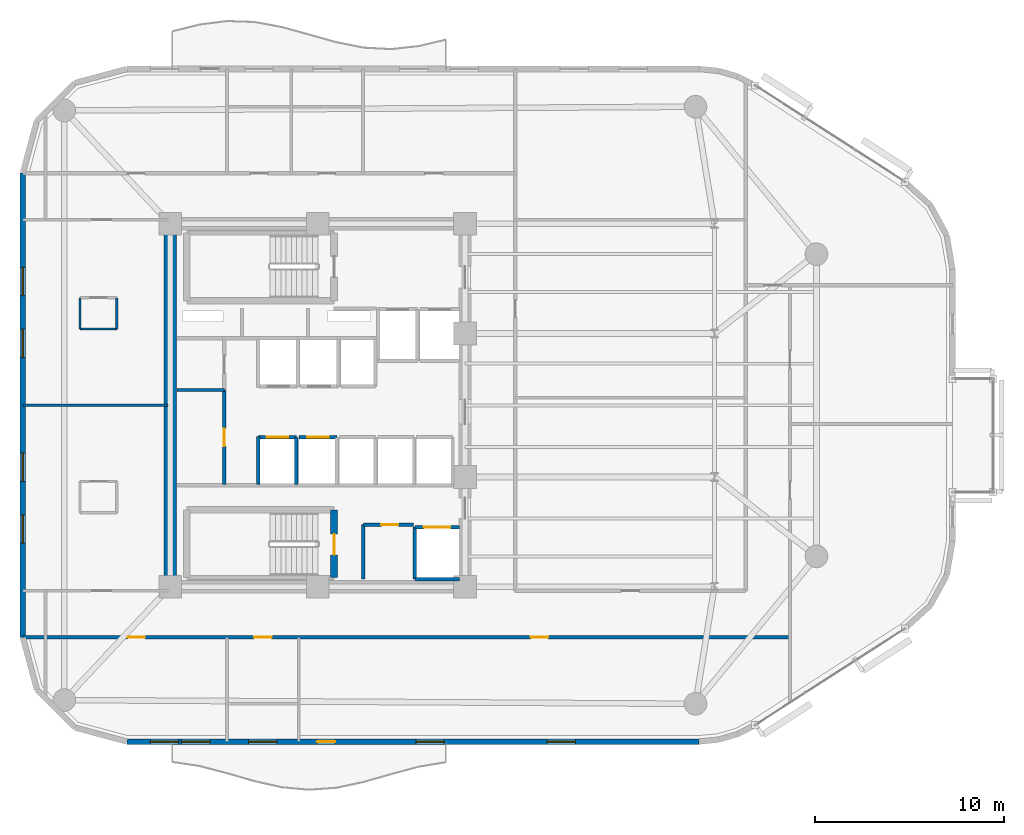
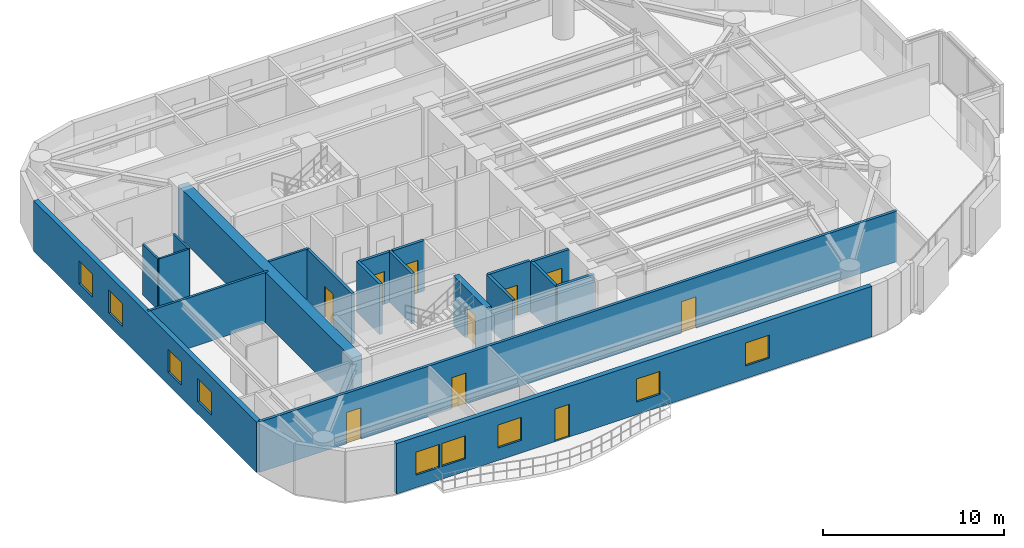
# One storey, part 11 of 16: 20 walls, 10 doors, 9 windows, 19 openings.
"""IFC4 building model written with IfcOpenShell, lengths in metres."""

from ifc_helpers import new_model, si_unit, direction, frame, frame_2d, origin, place, context, subcontext, project, spatial, rectangle, extrude, material, layer, layer_set, type_object, element, fill, save


model = new_model("IFC4")

# Units and contexts
model_context = context("Model", 3, precision=1e-05, world=origin(), true_north=direction((0.0, 1.0)))
body_context = subcontext(model_context, "Body", "Model", "MODEL_VIEW")
ifc_project = project(units=[si_unit("LENGTHUNIT", "METRE"), si_unit("AREAUNIT", "SQUARE_METRE"), si_unit("VOLUMEUNIT", "CUBIC_METRE"), si_unit("PLANEANGLEUNIT", "RADIAN"), si_unit("MASSUNIT", "GRAM", prefix="KILO")], contexts=[model_context])

# Site, building, storey
site_placement = place(None, origin())
site = spatial("IfcSite", under=ifc_project, at=site_placement, CompositionType="ELEMENT")
building_placement = place(site_placement, origin())
building = spatial("IfcBuilding", under=site, at=building_placement, Name="An Khanh Terracotta Commons", CompositionType="ELEMENT")
storey_placement = place(building_placement, frame((0.0, 0.0, 172.60009765625)))
storey = spatial("IfcBuildingStorey", under=building, at=storey_placement, Name="L45", CompositionType="ELEMENT", Elevation=172.60009765625)

# Wall
ifc_material_1 = material(Name="Concrete C60/75", Category="concrete")
ifc_layer_1 = layer(ifc_material_1, 0.64990234375, Name="Concrete C60/75")
ifc_layer_set_1 = layer_set([ifc_layer_1], Name="Concrete C60/75")
wall_type_1 = type_object("IfcWallType", Name="WALL-CORE-650", PredefinedType="SHEAR", material=ifc_layer_set_1)
wall_1_placement = place(storey_placement, frame((21.60009765625, 14.39990234375, 0.0), z_axis=(0.0, 0.0, 1.0), x_axis=(0.0, 1.0, 0.0)))
element("IfcWall", 1, at=wall_1_placement, inside=storey, type_object=wall_type_1, Name="L45 Core Wall CWALL-L45-W", PredefinedType="SHEAR", context=body_context, shape_type="SweptSolid", body=[
    extrude(rectangle(XDim=19.2001953125, YDim=0.64990234375, at=frame_2d((9.60009765625, 0.0))), origin(), (0.0, 0.0, 1.0), 3.39990234375),
])

# Wall, opening, door
ifc_material_2 = material(Name="Fire-Rated Gypsum Board on Steel Stud", Category="steel")
ifc_layer_2 = layer(ifc_material_2, 0.179931640625, Name="Fire-Rated Gypsum Board on Steel Stud")
ifc_layer_set_2 = layer_set([ifc_layer_2], Name="Fire-Rated Gypsum Board on Steel Stud")
wall_type_2 = type_object("IfcWallType", Name="WALL-CORR-180", PredefinedType="PARTITIONING", material=ifc_layer_set_2)
wall_2_placement = place(storey_placement, frame((31.820068359375, 17.679931640625, 0.0), z_axis=(0.0, 0.0, 1.0), x_axis=(1.0, 0.0, 0.0)))
wall_2 = element("IfcWall", 2, at=wall_2_placement, inside=storey, type_object=wall_type_2, Name="L45 Core Wall SSVCW-L45-N", PredefinedType="PARTITIONING", context=body_context, shape_type="SweptSolid", body=[
    extrude(rectangle(XDim=2.659912109375, YDim=0.179931640625, at=frame_2d((1.330078125, 0.0))), origin(), (0.0, 0.0, 1.0), 3.39990234375),
])
opening_1_placement = place(wall_2_placement, frame((0.949951171875, 0.0, 0.0)))
opening_1 = element("IfcOpeningElement", 3, at=opening_1_placement, cuts=wall_2, Name="Opening D-SV", PredefinedType="OPENING", context=body_context, shape_type="SweptSolid", body=[
    extrude(rectangle(XDim=0.89990234375, YDim=2.050048828125, at=frame_2d((0.449951171875, 1.02490234375))), frame((0.0, 0.099853515625, 0.0), z_axis=(0.0, -1.0, 0.0), x_axis=(1.0, 0.0, 0.0)), (0.0, 0.0, 1.0), 0.199951171875),
])
ifc_material_3 = material(Name="Fire-Rated Powder-Coated Steel Door", Category="steel")
door_type_1 = type_object("IfcDoorType", Name="DOOR-SERV-900", OperationType="NOTDEFINED", PredefinedType="DOOR", material=ifc_material_3)
door_1_placement = place(opening_1_placement, origin())
door_1 = element("IfcDoor", 4, at=door_1_placement, inside=storey, type_object=door_type_1, Name="L45 Core Housekeeping Store Door", OperationType="SINGLE_SWING_LEFT", OverallHeight=2.050048828125, OverallWidth=0.89990234375, PredefinedType="DOOR", context=body_context, shape_type="SweptSolid", body=[
    extrude(rectangle(XDim=0.89990234375, YDim=2.050048828125, at=frame_2d((0.449951171875, 1.02490234375))), frame((0.0, 0.02490234375, 0.0), z_axis=(0.0, -1.0, 0.0), x_axis=(1.0, 0.0, 0.0)), (0.0, 0.0, 1.0), 0.050048828125),
])
fill(opening_1, door_1)

# Wall
wall_3_placement = place(storey_placement, frame((31.820068359375, 14.800048828125, 0.0), z_axis=(0.0, 0.0, 1.0), x_axis=(0.0, 1.0, 0.0)))
element("IfcWall", 5, at=wall_3_placement, inside=storey, type_object=wall_type_2, Name="L45 Core Wall SSVCW-L45-W", PredefinedType="PARTITIONING", context=body_context, shape_type="SweptSolid", body=[
    extrude(rectangle(XDim=2.8798828125, YDim=0.179931640625, at=frame_2d((1.43994140625, 0.0))), origin(), (0.0, 0.0, 1.0), 3.39990234375),
])

# Wall, opening, door
wall_4_placement = place(storey_placement, frame((34.550048828125, 17.550048828125, 0.0), z_axis=(0.0, 0.0, 1.0), x_axis=(1.0, 0.0, 0.0)))
wall_4 = element("IfcWall", 6, at=wall_4_placement, inside=storey, type_object=wall_type_2, Name="L45 Core Wall LSH-L45-SVL-01-N", PredefinedType="PARTITIONING", context=body_context, shape_type="SweptSolid", body=[
    extrude(rectangle(XDim=2.349853515625, YDim=0.179931640625, at=frame_2d((1.1748046875, 0.0))), origin(), (0.0, 0.0, 1.0), 3.39990234375),
])
opening_2_placement = place(wall_4_placement, frame((0.47509765625, 0.0, 0.0)))
opening_2 = element("IfcOpeningElement", 7, at=opening_2_placement, cuts=wall_4, Name="Opening LD-SVL-01-L45", PredefinedType="OPENING", context=body_context, shape_type="SweptSolid", body=[
    extrude(rectangle(XDim=1.39990234375, YDim=2.300048828125, at=frame_2d((0.699951171875, 1.14990234375))), frame((0.0, 0.099853515625, 0.0), z_axis=(0.0, -1.0, 0.0), x_axis=(1.0, 0.0, 0.0)), (0.0, 0.0, 1.0), 0.199951171875),
])
ifc_material_4 = material(Name="Heavy-Duty Stainless Steel Goods Landing Door", Category="steel")
door_type_2 = type_object("IfcDoorType", Name="DOOR-LD-SVL-1400", OperationType="NOTDEFINED", PredefinedType="DOOR", material=ifc_material_4)
door_2_placement = place(opening_2_placement, origin())
door_2 = element("IfcDoor", 8, at=door_2_placement, inside=storey, type_object=door_type_2, Name="L45 Lift SVL-01 Sliding Landing Door", OperationType="DOUBLE_DOOR_SLIDING", OverallHeight=2.300048828125, OverallWidth=1.39990234375, PredefinedType="DOOR", context=body_context, shape_type="SweptSolid", body=[
    extrude(rectangle(XDim=1.39990234375, YDim=2.300048828125, at=frame_2d((0.699951171875, 1.14990234375))), frame((0.0, 0.02490234375, 0.0), z_axis=(0.0, -1.0, 0.0), x_axis=(1.0, 0.0, 0.0)), (0.0, 0.0, 1.0), 0.050048828125),
])
fill(opening_2, door_2)

# Walls
wall_5_placement = place(storey_placement, frame((36.89990234375, 14.800048828125, 0.0), z_axis=(0.0, 0.0, 1.0), x_axis=(-1.0, 0.0, 0.0)))
element("IfcWall", 9, at=wall_5_placement, inside=storey, type_object=wall_type_2, Name="L45 Core Wall LSH-L45-SVL-01-S", PredefinedType="PARTITIONING", context=body_context, shape_type="SweptSolid", body=[
    extrude(rectangle(XDim=2.349853515625, YDim=0.179931640625, at=frame_2d((1.1748046875, 0.0))), origin(), (0.0, 0.0, 1.0), 3.39990234375),
])
wall_6_placement = place(storey_placement, frame((34.550048828125, 17.550048828125, 0.0), z_axis=(0.0, 0.0, 1.0), x_axis=(0.0, -1.0, 0.0)))
element("IfcWall", 10, at=wall_6_placement, inside=storey, type_object=wall_type_2, Name="L45 Core Wall LSH-L45-SVL-01-W", PredefinedType="PARTITIONING", context=body_context, shape_type="SweptSolid", body=[
    extrude(rectangle(XDim=2.75, YDim=0.179931640625, at=frame_2d((1.375, 0.0))), origin(), (0.0, 0.0, 1.0), 3.39990234375),
])

# Wall, opening, door
wall_7_placement = place(storey_placement, frame((26.280029296875, 22.300048828125, 0.0), z_axis=(0.0, 0.0, 1.0), x_axis=(1.0, 0.0, 0.0)))
wall_7 = element("IfcWall", 11, at=wall_7_placement, inside=storey, type_object=wall_type_2, Name="L45 Core Wall LSH-L45-PL-M3-N", PredefinedType="PARTITIONING", context=body_context, shape_type="SweptSolid", body=[
    extrude(rectangle(XDim=2.0, YDim=0.179931640625, at=frame_2d((1.0, 0.0))), origin(), (0.0, 0.0, 1.0), 3.39990234375),
])
opening_3_placement = place(wall_7_placement, frame((0.425048828125, 0.0, 0.0)))
opening_3 = element("IfcOpeningElement", 12, at=opening_3_placement, cuts=wall_7, Name="Opening LD-PL-M3-L45", PredefinedType="OPENING", context=body_context, shape_type="SweptSolid", body=[
    extrude(rectangle(XDim=1.14990234375, YDim=2.199951171875, at=frame_2d((0.574951171875, 1.10009765625))), frame((0.0, 0.099853515625, 0.0), z_axis=(0.0, -1.0, 0.0), x_axis=(1.0, 0.0, 0.0)), (0.0, 0.0, 1.0), 0.199951171875),
])
ifc_material_5 = material(Name="Brushed Stainless Steel Passenger Landing Door", Category="steel")
door_type_3 = type_object("IfcDoorType", Name="DOOR-LD-PAX-1150", OperationType="NOTDEFINED", PredefinedType="DOOR", material=ifc_material_5)
door_3_placement = place(opening_3_placement, origin())
door_3 = element("IfcDoor", 13, at=door_3_placement, inside=storey, type_object=door_type_3, Name="L45 Lift PL-M3 Sliding Landing Door", OperationType="DOUBLE_DOOR_SLIDING", OverallHeight=2.199951171875, OverallWidth=1.14990234375, PredefinedType="DOOR", context=body_context, shape_type="SweptSolid", body=[
    extrude(rectangle(XDim=1.14990234375, YDim=2.199951171875, at=frame_2d((0.574951171875, 1.10009765625))), frame((0.0, 0.02490234375, 0.0), z_axis=(0.0, -1.0, 0.0), x_axis=(1.0, 0.0, 0.0)), (0.0, 0.0, 1.0), 0.050048828125),
])
fill(opening_3, door_3)

# Wall
wall_8_placement = place(storey_placement, frame((28.280029296875, 19.800048828125, 0.0), z_axis=(0.0, 0.0, 1.0), x_axis=(0.0, 1.0, 0.0)))
element("IfcWall", 14, at=wall_8_placement, inside=storey, type_object=wall_type_2, Name="L45 Core Wall LSH-L45-PL-M3-E", PredefinedType="PARTITIONING", context=body_context, shape_type="SweptSolid", body=[
    extrude(rectangle(XDim=2.5, YDim=0.179931640625, at=frame_2d((1.25, 0.0))), origin(), (0.0, 0.0, 1.0), 3.39990234375),
])

# Wall, opening, door
wall_9_placement = place(storey_placement, frame((28.419921875, 22.300048828125, 0.0), z_axis=(0.0, 0.0, 1.0), x_axis=(1.0, 0.0, 0.0)))
wall_9 = element("IfcWall", 15, at=wall_9_placement, inside=storey, type_object=wall_type_2, Name="L45 Core Wall LSH-L45-PL-M4-N", PredefinedType="PARTITIONING", context=body_context, shape_type="SweptSolid", body=[
    extrude(rectangle(XDim=2.0, YDim=0.179931640625, at=frame_2d((1.0, 0.0))), origin(), (0.0, 0.0, 1.0), 3.39990234375),
])
opening_4_placement = place(wall_9_placement, frame((0.425048828125, 0.0, 0.0)))
opening_4 = element("IfcOpeningElement", 16, at=opening_4_placement, cuts=wall_9, Name="Opening LD-PL-M4-L45", PredefinedType="OPENING", context=body_context, shape_type="SweptSolid", body=[
    extrude(rectangle(XDim=1.14990234375, YDim=2.199951171875, at=frame_2d((0.574951171875, 1.10009765625))), frame((0.0, 0.099853515625, 0.0), z_axis=(0.0, -1.0, 0.0), x_axis=(1.0, 0.0, 0.0)), (0.0, 0.0, 1.0), 0.199951171875),
])
door_4_placement = place(opening_4_placement, origin())
door_4 = element("IfcDoor", 17, at=door_4_placement, inside=storey, type_object=door_type_3, Name="L45 Lift PL-M4 Sliding Landing Door", OperationType="DOUBLE_DOOR_SLIDING", OverallHeight=2.199951171875, OverallWidth=1.14990234375, PredefinedType="DOOR", context=body_context, shape_type="SweptSolid", body=[
    extrude(rectangle(XDim=1.14990234375, YDim=2.199951171875, at=frame_2d((0.574951171875, 1.10009765625))), frame((0.0, 0.02490234375, 0.0), z_axis=(0.0, -1.0, 0.0), x_axis=(1.0, 0.0, 0.0)), (0.0, 0.0, 1.0), 0.050048828125),
])
fill(opening_4, door_4)

wall_10_placement = place(storey_placement, frame((24.4599609375, 19.800048828125, 0.0), z_axis=(0.0, 0.0, 1.0), x_axis=(0.0, 1.0, 0.0)))
wall_10 = element("IfcWall", 18, at=wall_10_placement, inside=storey, type_object=wall_type_2, Name="L45 Core Wall RECW-L45-E2", PredefinedType="PARTITIONING", context=body_context, shape_type="SweptSolid", body=[
    extrude(rectangle(XDim=5.0, YDim=0.179931640625, at=frame_2d((2.5, 0.0))), origin(), (0.0, 0.0, 1.0), 3.39990234375),
])
opening_5_placement = place(wall_10_placement, frame((2.0400390625, 0.0, 0.0)))
opening_5 = element("IfcOpeningElement", 19, at=opening_5_placement, cuts=wall_10, Name="Opening D-RM", PredefinedType="OPENING", context=body_context, shape_type="SweptSolid", body=[
    extrude(rectangle(XDim=0.919921875, YDim=2.10009765625, at=frame_2d((0.4599609375, 1.050048828125))), frame((0.0, 0.099853515625, 0.0), z_axis=(0.0, -1.0, 0.0), x_axis=(1.0, 0.0, 0.0)), (0.0, 0.0, 1.0), 0.199951171875),
])
ifc_material_6 = material(Name="Engineered Hardwood Timber Leaf", Category="wood")
door_type_4 = type_object("IfcDoorType", Name="DOOR-INT-920", OperationType="NOTDEFINED", PredefinedType="DOOR", material=ifc_material_6)
door_5_placement = place(opening_5_placement, origin())
door_5 = element("IfcDoor", 20, at=door_5_placement, inside=storey, type_object=door_type_4, Name="L45 Luggage Locker Room Door", OperationType="SINGLE_SWING_LEFT", OverallHeight=2.10009765625, OverallWidth=0.919921875, PredefinedType="DOOR", context=body_context, shape_type="SweptSolid", body=[
    extrude(rectangle(XDim=0.919921875, YDim=2.10009765625, at=frame_2d((0.4599609375, 1.050048828125))), frame((0.0, 0.02490234375, 0.0), z_axis=(0.0, -1.0, 0.0), x_axis=(1.0, 0.0, 0.0)), (0.0, 0.0, 1.0), 0.050048828125),
])
fill(opening_5, door_5)

# Wall
wall_11_placement = place(storey_placement, frame((26.25, 19.800048828125, 0.0), z_axis=(0.0, 0.0, 1.0), x_axis=(0.0, 1.0, 0.0)))
element("IfcWall", 21, at=wall_11_placement, inside=storey, type_object=wall_type_2, Name="L45 Core Wall RECW-L45-BE2", PredefinedType="PARTITIONING", context=body_context, shape_type="SweptSolid", body=[
    extrude(rectangle(XDim=2.550048828125, YDim=0.179931640625, at=frame_2d((1.27490234375, 0.0))), origin(), (0.0, 0.0, 1.0), 3.39990234375),
])

# Wall, openings, doors
wall_12_placement = place(storey_placement, frame((13.800048828125, 11.719970703125, 0.0), z_axis=(0.0, 0.0, 1.0), x_axis=(1.0, 0.0, 0.0)))
wall_12 = element("IfcWall", 22, at=wall_12_placement, inside=storey, type_object=wall_type_2, Name="L45 Interior Partition IW-L45-E002", PredefinedType="PARTITIONING", context=body_context, shape_type="SweptSolid", body=[
    extrude(rectangle(XDim=40.599853515625, YDim=0.179931640625, at=frame_2d((20.2998046875, 0.0))), origin(), (0.0, 0.0, 1.0), 3.39990234375),
])
opening_6_placement = place(wall_12_placement, frame((12.239990234375, 0.0, 0.0)))
opening_6 = element("IfcOpeningElement", 23, at=opening_6_placement, cuts=wall_12, Name="Opening D-RM", PredefinedType="OPENING", context=body_context, shape_type="SweptSolid", body=[
    extrude(rectangle(XDim=0.919921875, YDim=2.10009765625, at=frame_2d((0.4599609375, 1.050048828125))), frame((0.0, 0.099853515625, 0.0), z_axis=(0.0, -1.0, 0.0), x_axis=(1.0, 0.0, 0.0)), (0.0, 0.0, 1.0), 0.199951171875),
])
opening_7_placement = place(wall_12_placement, frame((5.5400390625, 0.0, 0.0)))
opening_7 = element("IfcOpeningElement", 24, at=opening_7_placement, cuts=wall_12, Name="Opening D-RM", PredefinedType="OPENING", context=body_context, shape_type="SweptSolid", body=[
    extrude(rectangle(XDim=0.919921875, YDim=2.10009765625, at=frame_2d((0.4599609375, 1.050048828125))), frame((0.0, 0.099853515625, 0.0), z_axis=(0.0, -1.0, 0.0), x_axis=(1.0, 0.0, 0.0)), (0.0, 0.0, 1.0), 0.199951171875),
])
opening_8_placement = place(wall_12_placement, frame((26.8798828125, 0.0, 0.0)))
opening_8 = element("IfcOpeningElement", 25, at=opening_8_placement, cuts=wall_12, Name="Opening D-RM", PredefinedType="OPENING", context=body_context, shape_type="SweptSolid", body=[
    extrude(rectangle(XDim=0.919921875, YDim=2.10009765625, at=frame_2d((0.4599609375, 1.050048828125))), frame((0.0, 0.099853515625, 0.0), z_axis=(0.0, -1.0, 0.0), x_axis=(1.0, 0.0, 0.0)), (0.0, 0.0, 1.0), 0.199951171875),
])
door_6_placement = place(opening_6_placement, origin())
door_6 = element("IfcDoor", 26, at=door_6_placement, inside=storey, type_object=door_type_4, Name="L45 HKP Housekeeping Linen Store Door", OperationType="SINGLE_SWING_RIGHT", OverallHeight=2.10009765625, OverallWidth=0.919921875, PredefinedType="DOOR", context=body_context, shape_type="SweptSolid", body=[
    extrude(rectangle(XDim=0.919921875, YDim=2.10009765625, at=frame_2d((0.4599609375, 1.050048828125))), frame((0.0, 0.02490234375, 0.0), z_axis=(0.0, -1.0, 0.0), x_axis=(1.0, 0.0, 0.0)), (0.0, 0.0, 1.0), 0.050048828125),
])
fill(opening_6, door_6)
door_7_placement = place(opening_7_placement, origin())
door_7 = element("IfcDoor", 27, at=door_7_placement, inside=storey, type_object=door_type_4, Name="L45 SW1 Academic Seminar Room Door", OperationType="SINGLE_SWING_RIGHT", OverallHeight=2.10009765625, OverallWidth=0.919921875, PredefinedType="DOOR", context=body_context, shape_type="SweptSolid", body=[
    extrude(rectangle(XDim=0.919921875, YDim=2.10009765625, at=frame_2d((0.4599609375, 1.050048828125))), frame((0.0, 0.02490234375, 0.0), z_axis=(0.0, -1.0, 0.0), x_axis=(1.0, 0.0, 0.0)), (0.0, 0.0, 1.0), 0.050048828125),
])
fill(opening_7, door_7)
door_8_placement = place(opening_8_placement, origin())
door_8 = element("IfcDoor", 28, at=door_8_placement, inside=storey, type_object=door_type_4, Name="L45 SWE Academic Seminar Room Door", OperationType="SINGLE_SWING_LEFT", OverallHeight=2.10009765625, OverallWidth=0.919921875, PredefinedType="DOOR", context=body_context, shape_type="SweptSolid", body=[
    extrude(rectangle(XDim=0.919921875, YDim=2.10009765625, at=frame_2d((0.4599609375, 1.050048828125))), frame((0.0, 0.02490234375, 0.0), z_axis=(0.0, -1.0, 0.0), x_axis=(1.0, 0.0, 0.0)), (0.0, 0.0, 1.0), 0.050048828125),
])
fill(opening_8, door_8)

# Wall, openings, door, windows
ifc_material_7 = material(Name="Precast concrete C40/50", Category="concrete")
ifc_layer_3 = layer(ifc_material_7, 0.300048828125, Name="Precast concrete C40/50")
ifc_layer_set_3 = layer_set([ifc_layer_3], Name="Precast concrete C40/50")
wall_type_3 = type_object("IfcWallType", Name="WALL-EXT-300", PredefinedType="SOLIDWALL", material=ifc_layer_set_3)
wall_13_placement = place(storey_placement, frame((19.300048828125, 6.199951171875, 0.0), z_axis=(0.0, 0.0, 1.0), x_axis=(1.0, 0.0, 0.0)))
wall_13 = element("IfcWall", 29, at=wall_13_placement, inside=storey, type_object=wall_type_3, Name="L45 Insulated Terracotta Exterior Wall 4", PredefinedType="SOLIDWALL", context=body_context, shape_type="SweptSolid", body=[
    extrude(rectangle(XDim=30.281982421875, YDim=0.300048828125, at=frame_2d((15.14111328125, 0.0))), origin(), (0.0, 0.0, 1.0), 3.39990234375),
])
opening_9_placement = place(wall_13_placement, frame((10.074951171875, 0.0, 0.0)))
opening_9 = element("IfcOpeningElement", 30, at=opening_9_placement, cuts=wall_13, Name="Opening D-BAL", PredefinedType="OPENING", context=body_context, shape_type="SweptSolid", body=[
    extrude(rectangle(XDim=0.949951171875, YDim=2.199951171875, at=frame_2d((0.47509765625, 1.10009765625))), frame((0.0, 0.159912109375, 0.0), z_axis=(0.0, -1.0, 0.0), x_axis=(1.0, 0.0, 0.0)), (0.0, 0.0, 1.0), 0.320068359375),
])
opening_10_placement = place(wall_13_placement, frame((1.25, 0.0, 0.85009765625)))
opening_10 = element("IfcOpeningElement", 31, at=opening_10_placement, cuts=wall_13, Name="Opening W-03", PredefinedType="OPENING", context=body_context, shape_type="SweptSolid", body=[
    extrude(rectangle(XDim=1.5, YDim=1.550048828125, at=frame_2d((0.75, 0.77490234375))), frame((0.0, 0.159912109375, 0.0), z_axis=(0.0, -1.0, 0.0), x_axis=(1.0, 0.0, 0.0)), (0.0, 0.0, 1.0), 0.320068359375),
])
opening_11_placement = place(wall_13_placement, frame((2.89990234375, 0.0, 0.85009765625)))
opening_11 = element("IfcOpeningElement", 32, at=opening_11_placement, cuts=wall_13, Name="Opening W-03", PredefinedType="OPENING", context=body_context, shape_type="SweptSolid", body=[
    extrude(rectangle(XDim=1.5, YDim=1.550048828125, at=frame_2d((0.75, 0.77490234375))), frame((0.0, 0.159912109375, 0.0), z_axis=(0.0, -1.0, 0.0), x_axis=(1.0, 0.0, 0.0)), (0.0, 0.0, 1.0), 0.320068359375),
])
opening_12_placement = place(wall_13_placement, frame((6.449951171875, 0.0, 0.85009765625)))
opening_12 = element("IfcOpeningElement", 33, at=opening_12_placement, cuts=wall_13, Name="Opening W-03", PredefinedType="OPENING", context=body_context, shape_type="SweptSolid", body=[
    extrude(rectangle(XDim=1.5, YDim=1.550048828125, at=frame_2d((0.75, 0.77490234375))), frame((0.0, 0.159912109375, 0.0), z_axis=(0.0, -1.0, 0.0), x_axis=(1.0, 0.0, 0.0)), (0.0, 0.0, 1.0), 0.320068359375),
])
opening_13_placement = place(wall_13_placement, frame((15.2939453125, 0.0, 0.85009765625)))
opening_13 = element("IfcOpeningElement", 34, at=opening_13_placement, cuts=wall_13, Name="Opening W-03", PredefinedType="OPENING", context=body_context, shape_type="SweptSolid", body=[
    extrude(rectangle(XDim=1.5, YDim=1.550048828125, at=frame_2d((0.75, 0.77490234375))), frame((0.0, 0.159912109375, 0.0), z_axis=(0.0, -1.0, 0.0), x_axis=(1.0, 0.0, 0.0)), (0.0, 0.0, 1.0), 0.320068359375),
])
opening_14_placement = place(wall_13_placement, frame((22.238037109375, 0.0, 0.85009765625)))
opening_14 = element("IfcOpeningElement", 35, at=opening_14_placement, cuts=wall_13, Name="Opening W-03", PredefinedType="OPENING", context=body_context, shape_type="SweptSolid", body=[
    extrude(rectangle(XDim=1.5, YDim=1.550048828125, at=frame_2d((0.75, 0.77490234375))), frame((0.0, 0.159912109375, 0.0), z_axis=(0.0, -1.0, 0.0), x_axis=(1.0, 0.0, 0.0)), (0.0, 0.0, 1.0), 0.320068359375),
])
ifc_material_8 = material(Name="Thermally Broken Aluminium and Low-E Glass", Category="aluminium")
door_type_5 = type_object("IfcDoorType", Name="DOOR-BALC-950", OperationType="NOTDEFINED", PredefinedType="DOOR", material=ifc_material_8)
door_9_placement = place(opening_9_placement, origin())
door_9 = element("IfcDoor", 36, at=door_9_placement, inside=storey, type_object=door_type_5, Name="L45 S Wave Balcony Glazed Door", OperationType="SINGLE_SWING_LEFT", OverallHeight=2.199951171875, OverallWidth=0.949951171875, PredefinedType="DOOR", context=body_context, shape_type="SweptSolid", body=[
    extrude(rectangle(XDim=0.949951171875, YDim=2.199951171875, at=frame_2d((0.47509765625, 1.10009765625))), frame((0.0, 0.02490234375, 0.0), z_axis=(0.0, -1.0, 0.0), x_axis=(1.0, 0.0, 0.0)), (0.0, 0.0, 1.0), 0.050048828125),
])
fill(opening_9, door_9)
window_type = type_object("IfcWindowType", Name="WIN-Z3-1500x1550", PartitioningType="DOUBLE_PANEL_VERTICAL", PredefinedType="WINDOW", material=ifc_material_8)
window_1_placement = place(opening_10_placement, origin())
window_1 = element("IfcWindow", 37, at=window_1_placement, inside=storey, type_object=window_type, Name="L45 Operable Casement Window 4.1", OverallHeight=1.550048828125, OverallWidth=1.5, PartitioningType="DOUBLE_PANEL_VERTICAL", PredefinedType="WINDOW", context=body_context, shape_type="SweptSolid", body=[
    extrude(rectangle(XDim=1.5, YDim=1.550048828125, at=frame_2d((0.75, 0.77490234375))), frame((0.0, 0.030029296875, 0.0), z_axis=(0.0, -1.0, 0.0), x_axis=(1.0, 0.0, 0.0)), (0.0, 0.0, 1.0), 0.06005859375),
])
fill(opening_10, window_1)
window_2_placement = place(opening_11_placement, origin())
window_2 = element("IfcWindow", 38, at=window_2_placement, inside=storey, type_object=window_type, Name="L45 Operable Casement Window 4.2", OverallHeight=1.550048828125, OverallWidth=1.5, PartitioningType="DOUBLE_PANEL_VERTICAL", PredefinedType="WINDOW", context=body_context, shape_type="SweptSolid", body=[
    extrude(rectangle(XDim=1.5, YDim=1.550048828125, at=frame_2d((0.75, 0.77490234375))), frame((0.0, 0.030029296875, 0.0), z_axis=(0.0, -1.0, 0.0), x_axis=(1.0, 0.0, 0.0)), (0.0, 0.0, 1.0), 0.06005859375),
])
fill(opening_11, window_2)
window_3_placement = place(opening_12_placement, origin())
window_3 = element("IfcWindow", 39, at=window_3_placement, inside=storey, type_object=window_type, Name="L45 Operable Casement Window 4.3", OverallHeight=1.550048828125, OverallWidth=1.5, PartitioningType="DOUBLE_PANEL_VERTICAL", PredefinedType="WINDOW", context=body_context, shape_type="SweptSolid", body=[
    extrude(rectangle(XDim=1.5, YDim=1.550048828125, at=frame_2d((0.75, 0.77490234375))), frame((0.0, 0.030029296875, 0.0), z_axis=(0.0, -1.0, 0.0), x_axis=(1.0, 0.0, 0.0)), (0.0, 0.0, 1.0), 0.06005859375),
])
fill(opening_12, window_3)
window_4_placement = place(opening_13_placement, origin())
window_4 = element("IfcWindow", 40, at=window_4_placement, inside=storey, type_object=window_type, Name="L45 Operable Casement Window 4.4", OverallHeight=1.550048828125, OverallWidth=1.5, PartitioningType="DOUBLE_PANEL_VERTICAL", PredefinedType="WINDOW", context=body_context, shape_type="SweptSolid", body=[
    extrude(rectangle(XDim=1.5, YDim=1.550048828125, at=frame_2d((0.75, 0.77490234375))), frame((0.0, 0.030029296875, 0.0), z_axis=(0.0, -1.0, 0.0), x_axis=(1.0, 0.0, 0.0)), (0.0, 0.0, 1.0), 0.06005859375),
])
fill(opening_13, window_4)
window_5_placement = place(opening_14_placement, origin())
window_5 = element("IfcWindow", 41, at=window_5_placement, inside=storey, type_object=window_type, Name="L45 Operable Casement Window 4.5", OverallHeight=1.550048828125, OverallWidth=1.5, PartitioningType="DOUBLE_PANEL_VERTICAL", PredefinedType="WINDOW", context=body_context, shape_type="SweptSolid", body=[
    extrude(rectangle(XDim=1.5, YDim=1.550048828125, at=frame_2d((0.75, 0.77490234375))), frame((0.0, 0.030029296875, 0.0), z_axis=(0.0, -1.0, 0.0), x_axis=(1.0, 0.0, 0.0)), (0.0, 0.0, 1.0), 0.06005859375),
])
fill(opening_14, window_5)

# Wall, openings, windows
wall_14_placement = place(storey_placement, frame((13.800048828125, 36.300048828125, 0.0), z_axis=(0.0, 0.0, 1.0), x_axis=(0.0, -1.0, 0.0)))
wall_14 = element("IfcWall", 42, at=wall_14_placement, inside=storey, type_object=wall_type_3, Name="L45 Insulated Terracotta Exterior Wall 24", PredefinedType="SOLIDWALL", context=body_context, shape_type="SweptSolid", body=[
    extrude(rectangle(XDim=24.60009765625, YDim=0.300048828125, at=frame_2d((12.300048828125, 0.0))), origin(), (0.0, 0.0, 1.0), 3.39990234375),
])
opening_15_placement = place(wall_14_placement, frame((5.0029296875, 0.0, 0.85009765625)))
opening_15 = element("IfcOpeningElement", 43, at=opening_15_placement, cuts=wall_14, Name="Opening W-03", PredefinedType="OPENING", context=body_context, shape_type="SweptSolid", body=[
    extrude(rectangle(XDim=1.5, YDim=1.550048828125, at=frame_2d((0.75, 0.77490234375))), frame((0.0, 0.159912109375, 0.0), z_axis=(0.0, -1.0, 0.0), x_axis=(1.0, 0.0, 0.0)), (0.0, 0.0, 1.0), 0.320068359375),
])
opening_16_placement = place(wall_14_placement, frame((8.277099609375, 0.0, 0.85009765625)))
opening_16 = element("IfcOpeningElement", 44, at=opening_16_placement, cuts=wall_14, Name="Opening W-03", PredefinedType="OPENING", context=body_context, shape_type="SweptSolid", body=[
    extrude(rectangle(XDim=1.5, YDim=1.550048828125, at=frame_2d((0.75, 0.77490234375))), frame((0.0, 0.159912109375, 0.0), z_axis=(0.0, -1.0, 0.0), x_axis=(1.0, 0.0, 0.0)), (0.0, 0.0, 1.0), 0.320068359375),
])
opening_17_placement = place(wall_14_placement, frame((14.822998046875, 0.0, 0.85009765625)))
opening_17 = element("IfcOpeningElement", 45, at=opening_17_placement, cuts=wall_14, Name="Opening W-03", PredefinedType="OPENING", context=body_context, shape_type="SweptSolid", body=[
    extrude(rectangle(XDim=1.5, YDim=1.550048828125, at=frame_2d((0.75, 0.77490234375))), frame((0.0, 0.159912109375, 0.0), z_axis=(0.0, -1.0, 0.0), x_axis=(1.0, 0.0, 0.0)), (0.0, 0.0, 1.0), 0.320068359375),
])
opening_18_placement = place(wall_14_placement, frame((18.096923828125, 0.0, 0.85009765625)))
opening_18 = element("IfcOpeningElement", 46, at=opening_18_placement, cuts=wall_14, Name="Opening W-03", PredefinedType="OPENING", context=body_context, shape_type="SweptSolid", body=[
    extrude(rectangle(XDim=1.5, YDim=1.550048828125, at=frame_2d((0.75, 0.77490234375))), frame((0.0, 0.159912109375, 0.0), z_axis=(0.0, -1.0, 0.0), x_axis=(1.0, 0.0, 0.0)), (0.0, 0.0, 1.0), 0.320068359375),
])
window_6_placement = place(opening_15_placement, origin())
window_6 = element("IfcWindow", 47, at=window_6_placement, inside=storey, type_object=window_type, Name="L45 Operable Casement Window 24.1", OverallHeight=1.550048828125, OverallWidth=1.5, PartitioningType="DOUBLE_PANEL_VERTICAL", PredefinedType="WINDOW", context=body_context, shape_type="SweptSolid", body=[
    extrude(rectangle(XDim=1.5, YDim=1.550048828125, at=frame_2d((0.75, 0.77490234375))), frame((0.0, 0.030029296875, 0.0), z_axis=(0.0, -1.0, 0.0), x_axis=(1.0, 0.0, 0.0)), (0.0, 0.0, 1.0), 0.06005859375),
])
fill(opening_15, window_6)
window_7_placement = place(opening_16_placement, origin())
window_7 = element("IfcWindow", 48, at=window_7_placement, inside=storey, type_object=window_type, Name="L45 Operable Casement Window 24.2", OverallHeight=1.550048828125, OverallWidth=1.5, PartitioningType="DOUBLE_PANEL_VERTICAL", PredefinedType="WINDOW", context=body_context, shape_type="SweptSolid", body=[
    extrude(rectangle(XDim=1.5, YDim=1.550048828125, at=frame_2d((0.75, 0.77490234375))), frame((0.0, 0.030029296875, 0.0), z_axis=(0.0, -1.0, 0.0), x_axis=(1.0, 0.0, 0.0)), (0.0, 0.0, 1.0), 0.06005859375),
])
fill(opening_16, window_7)
window_8_placement = place(opening_17_placement, origin())
window_8 = element("IfcWindow", 49, at=window_8_placement, inside=storey, type_object=window_type, Name="L45 Operable Casement Window 24.3", OverallHeight=1.550048828125, OverallWidth=1.5, PartitioningType="DOUBLE_PANEL_VERTICAL", PredefinedType="WINDOW", context=body_context, shape_type="SweptSolid", body=[
    extrude(rectangle(XDim=1.5, YDim=1.550048828125, at=frame_2d((0.75, 0.77490234375))), frame((0.0, 0.030029296875, 0.0), z_axis=(0.0, -1.0, 0.0), x_axis=(1.0, 0.0, 0.0)), (0.0, 0.0, 1.0), 0.06005859375),
])
fill(opening_17, window_8)
window_9_placement = place(opening_18_placement, origin())
window_9 = element("IfcWindow", 50, at=window_9_placement, inside=storey, type_object=window_type, Name="L45 Operable Casement Window 24.4", OverallHeight=1.550048828125, OverallWidth=1.5, PartitioningType="DOUBLE_PANEL_VERTICAL", PredefinedType="WINDOW", context=body_context, shape_type="SweptSolid", body=[
    extrude(rectangle(XDim=1.5, YDim=1.550048828125, at=frame_2d((0.75, 0.77490234375))), frame((0.0, 0.030029296875, 0.0), z_axis=(0.0, -1.0, 0.0), x_axis=(1.0, 0.0, 0.0)), (0.0, 0.0, 1.0), 0.06005859375),
])
fill(opening_18, window_9)

# Walls
ifc_material_9 = material(Name="Acoustic Gypsum Board Partition")
ifc_layer_4 = layer(ifc_material_9, 0.14990234375, Name="Acoustic Gypsum Board Partition")
ifc_layer_set_4 = layer_set([ifc_layer_4], Name="Acoustic Gypsum Board Partition")
wall_type_4 = type_object("IfcWallType", Name="WALL-PART-150", PredefinedType="PARTITIONING", material=ifc_layer_set_4)
wall_15_placement = place(storey_placement, frame((21.949951171875, 24.800048828125, 0.0), z_axis=(0.0, 0.0, 1.0), x_axis=(1.0, 0.0, 0.0)))
element("IfcWall", 51, at=wall_15_placement, inside=storey, type_object=wall_type_4, Name="L45 Core Wall RECW-L45-M", PredefinedType="PARTITIONING", context=body_context, shape_type="SweptSolid", body=[
    extrude(rectangle(XDim=2.510009765625, YDim=0.14990234375, at=frame_2d((1.2548828125, 0.0))), origin(), (0.0, 0.0, 1.0), 3.39990234375),
])
wall_16_placement = place(storey_placement, frame((13.800048828125, 24.0, 0.0), z_axis=(0.0, 0.0, 1.0), x_axis=(1.0, 0.0, 0.0)))
element("IfcWall", 52, at=wall_16_placement, inside=storey, type_object=wall_type_4, Name="L45 Interior Partition IW-L45-E006", PredefinedType="PARTITIONING", context=body_context, shape_type="SweptSolid", body=[
    extrude(rectangle(XDim=7.679931640625, YDim=0.14990234375, at=frame_2d((3.83984375, 0.0))), origin(), (0.0, 0.0, 1.0), 3.39990234375),
])

# Wall, opening, door
ifc_material_10 = material(Name="Concrete C50/60", Category="concrete")
ifc_layer_5 = layer(ifc_material_10, 0.35009765625, Name="Concrete C50/60")
ifc_layer_set_5 = layer_set([ifc_layer_5], Name="Concrete C50/60")
wall_type_5 = type_object("IfcWallType", Name="WALL-SHAFT-350", PredefinedType="SOLIDWALL", material=ifc_layer_set_5)
wall_17_placement = place(storey_placement, frame((30.27001953125, 14.889892578125, 0.0), z_axis=(0.0, 0.0, 1.0), x_axis=(0.0, 1.0, 0.0)))
wall_17 = element("IfcWall", 53, at=wall_17_placement, inside=storey, type_object=wall_type_5, Name="L45 Core Wall STW-L45-S-E", PredefinedType="SOLIDWALL", context=body_context, shape_type="SweptSolid", body=[
    extrude(rectangle(XDim=3.580078125, YDim=0.35009765625, at=frame_2d((1.7900390625, 0.0))), origin(), (0.0, 0.0, 1.0), 3.39990234375),
])
opening_19_placement = place(wall_17_placement, frame((1.18994140625, 0.0, 0.0)))
opening_19 = element("IfcOpeningElement", 54, at=opening_19_placement, cuts=wall_17, Name="Opening D-ST", PredefinedType="OPENING", context=body_context, shape_type="SweptSolid", body=[
    extrude(rectangle(XDim=1.10009765625, YDim=2.14990234375, at=frame_2d((0.550048828125, 1.074951171875))), frame((0.0, 0.18505859375, 0.0), z_axis=(0.0, -1.0, 0.0), x_axis=(1.0, 0.0, 0.0)), (0.0, 0.0, 1.0), 0.3701171875),
])
ifc_material_11 = material(Name="Fire-Rated Steel Leaf and Frame", Category="steel")
door_type_6 = type_object("IfcDoorType", Name="DOOR-STAIR-1100", OperationType="NOTDEFINED", PredefinedType="DOOR", material=ifc_material_11)
door_10_placement = place(opening_19_placement, origin())
door_10 = element("IfcDoor", 55, at=door_10_placement, inside=storey, type_object=door_type_6, Name="L45 Stair ST-02 Fire Door", OperationType="SINGLE_SWING_RIGHT", OverallHeight=2.14990234375, OverallWidth=1.10009765625, PredefinedType="DOOR", context=body_context, shape_type="SweptSolid", body=[
    extrude(rectangle(XDim=1.10009765625, YDim=2.14990234375, at=frame_2d((0.550048828125, 1.074951171875))), frame((0.0, 0.02490234375, 0.0), z_axis=(0.0, -1.0, 0.0), x_axis=(1.0, 0.0, 0.0)), (0.0, 0.0, 1.0), 0.050048828125),
])
fill(opening_19, door_10)

# Walls
ifc_material_12 = material(Name="Moisture-Resistant Cement Board Partition")
ifc_layer_6 = layer(ifc_material_12, 0.1201171875, Name="Moisture-Resistant Cement Board Partition")
ifc_layer_set_6 = layer_set([ifc_layer_6], Name="Moisture-Resistant Cement Board Partition")
wall_type_6 = type_object("IfcWallType", Name="WALL-WET-120", PredefinedType="PARTITIONING", material=ifc_layer_set_6)
wall_18_placement = place(storey_placement, frame((18.77490234375, 28.034912109375, 0.0), z_axis=(0.0, 0.0, 1.0), x_axis=(-1.0, 0.0, 0.0)))
element("IfcWall", 56, at=wall_18_placement, inside=storey, type_object=wall_type_6, Name="L45 Interior Partition IW-L45-WW2-BS", PredefinedType="PARTITIONING", context=body_context, shape_type="SweptSolid", body=[
    extrude(rectangle(XDim=1.949951171875, YDim=0.1201171875, at=frame_2d((0.97509765625, 0.0))), origin(), (0.0, 0.0, 1.0), 3.39990234375),
])
for number, where, z_axis, x_axis, name in (
    (57, (16.824951171875, 29.68505859375, 0.0), (0.0, 0.0, 1.0), (0.0, -1.0, 0.0), "L45 Interior Partition IW-L45-WW2-BW"),
    (58, (18.77490234375, 28.034912109375, 0.0), (0.0, 0.0, 1.0), (0.0, 1.0, 0.0), "L45 Interior Partition IW-L45-WW2-BE"),
):
    element("IfcWall", number, at=place(storey_placement, frame(where, z_axis=z_axis, x_axis=x_axis)), inside=storey, type_object=wall_type_6, Name=name, PredefinedType="PARTITIONING", context=body_context, shape_type="SweptSolid", body=[
        extrude(rectangle(XDim=1.650146484375, YDim=0.1201171875, at=frame_2d((0.8251953125, 0.0))), origin(), (0.0, 0.0, 1.0), 3.39990234375),
    ])

save(model, "model.ifc")
